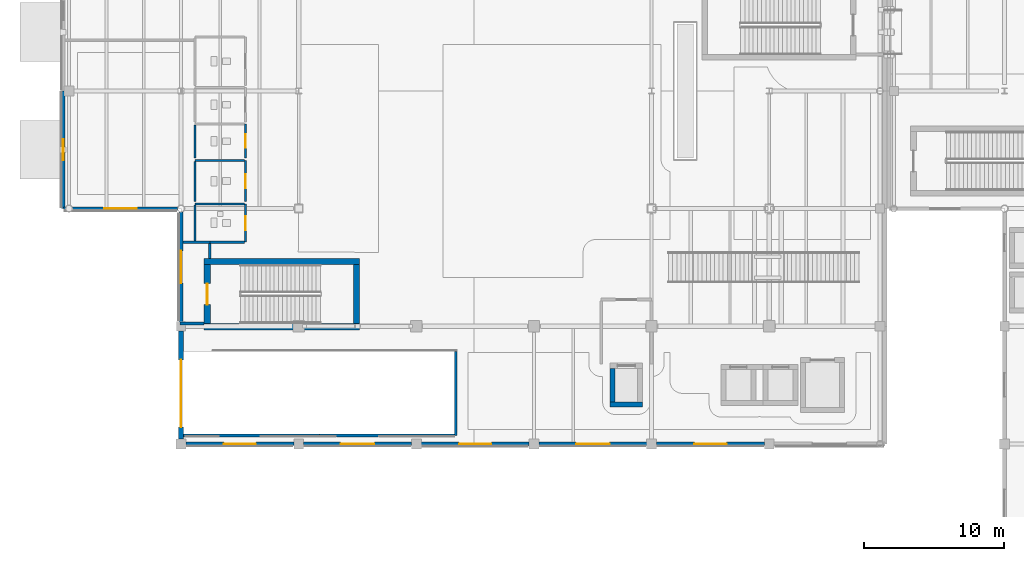
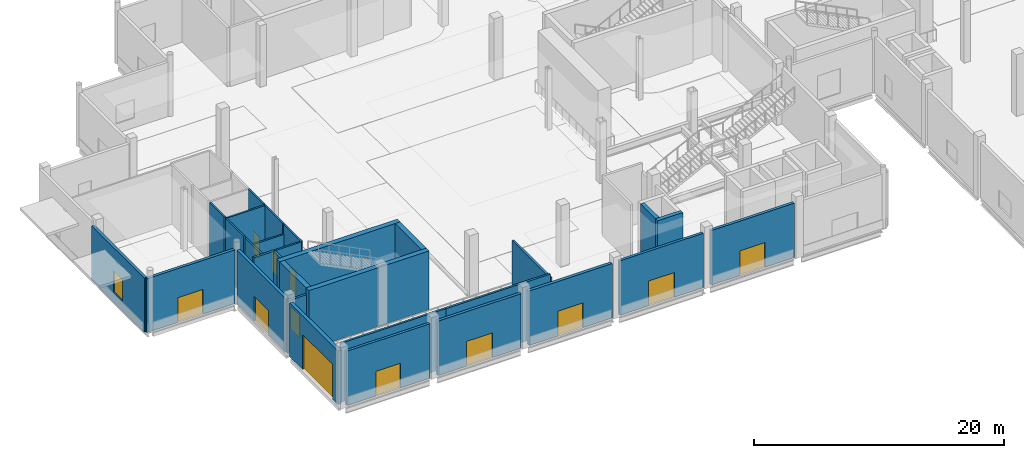
# One storey, part 43 of 85: 30 walls, 12 doors, 1 window, 13 openings.
"""IFC4 building model written with IfcOpenShell, lengths in metres."""

from ifc_helpers import new_model, si_unit, direction, frame, frame_2d, origin, place, context, subcontext, project, spatial, rectangle, extrude, material, layer, layer_set, type_object, element, fill, save


model = new_model("IFC4")

# Units and contexts
model_context = context("Model", 3, precision=1e-05, world=origin(), true_north=direction((0.0, 1.0)))
body_context = subcontext(model_context, "Body", "Model", "MODEL_VIEW")
ifc_project = project(units=[si_unit("LENGTHUNIT", "METRE"), si_unit("AREAUNIT", "SQUARE_METRE"), si_unit("VOLUMEUNIT", "CUBIC_METRE"), si_unit("PLANEANGLEUNIT", "RADIAN"), si_unit("MASSUNIT", "GRAM", prefix="KILO"), si_unit("THERMODYNAMICTEMPERATUREUNIT", "KELVIN")], contexts=[model_context])

# Site, building, storey
site_placement = place(None, origin())
site = spatial("IfcSite", under=ifc_project, at=site_placement, CompositionType="ELEMENT")
building_placement = place(site_placement, origin())
building = spatial("IfcBuilding", under=site, at=building_placement, Name="Lustrewick Department Store", CompositionType="ELEMENT")
storey_placement = place(building_placement, origin())
storey = spatial("IfcBuildingStorey", under=building, at=storey_placement, Name="L01", CompositionType="ELEMENT", Elevation=0.0)

# Wall, opening, door
ifc_material_1 = material(Name="Precast concrete C40", Category="concrete")
ifc_layer_1 = layer(ifc_material_1, 0.239990234375, Name="Precast concrete C40")
ifc_layer_set_1 = layer_set([ifc_layer_1], Name="Precast concrete C40")
wall_type_1 = type_object("IfcWallType", Name="EW01", PredefinedType="STANDARD", material=ifc_layer_set_1)
wall_1_placement = place(storey_placement, frame((8.7451171875, 42.0, 0.0), z_axis=(0.0, 0.0, 1.0), x_axis=(1.0, 0.0, 0.0)))
wall_1 = element("IfcWall", 1, at=wall_1_placement, inside=storey, type_object=wall_type_1, Name="L01 V1 Exterior Wall EW01", PredefinedType="STANDARD", context=body_context, shape_type="SweptSolid", body=[
    extrude(rectangle(XDim=7.7099609375, YDim=0.239990234375, at=frame_2d((3.85498046875, 0.0))), origin(), (0.0, 0.0, 1.0), 5.297119140625),
])
opening_1_placement = place(wall_1_placement, frame((2.705078125, 0.0, 0.0)))
opening_1 = element("IfcOpeningElement", 2, at=opening_1_placement, cuts=wall_1, Name="Opening D-EX09", PredefinedType="OPENING", context=body_context, shape_type="SweptSolid", body=[
    extrude(rectangle(XDim=2.300048828125, YDim=2.39990234375, at=frame_2d((1.14990234375, 1.199951171875))), frame((0.0, 0.1298828125, 0.0), z_axis=(0.0, -1.0, 0.0), x_axis=(1.0, 0.0, 0.0)), (0.0, 0.0, 1.0), 0.260009765625),
])
ifc_material_2 = material(Name="Thermally broken glazed aluminium entrance door", Category="aluminium")
door_type_1 = type_object("IfcDoorType", Name="DT-01", OperationType="NOTDEFINED", PredefinedType="DOOR", material=ifc_material_2)
door_1_placement = place(opening_1_placement, frame((2.300048828125, 0.0, 0.0), z_axis=(0.0, 0.0, 1.0), x_axis=(-1.0, 0.0, 0.0)))
door_1 = element("IfcDoor", 3, at=door_1_placement, inside=storey, type_object=door_type_1, Name="L01 Pedestrian Final Exit Door D-EX09", OperationType="DOUBLE_DOOR_SINGLE_SWING", OverallHeight=2.39990234375, OverallWidth=2.300048828125, PredefinedType="DOOR", context=body_context, shape_type="SweptSolid", body=[
    extrude(rectangle(XDim=2.300048828125, YDim=2.39990234375, at=frame_2d((1.14990234375, 1.199951171875))), frame((0.0, 0.02490234375, 0.0), z_axis=(0.0, -1.0, 0.0), x_axis=(1.0, 0.0, 0.0)), (0.0, 0.0, 1.0), 0.050048828125),
])
fill(opening_1, door_1)

wall_2_placement = place(storey_placement, frame((33.945068359375, 42.0, 0.0), z_axis=(0.0, 0.0, 1.0), x_axis=(1.0, 0.0, 0.0)))
wall_2 = element("IfcWall", 4, at=wall_2_placement, inside=storey, type_object=wall_type_1, Name="L01 V1 Exterior Wall EW01", PredefinedType="STANDARD", context=body_context, shape_type="SweptSolid", body=[
    extrude(rectangle(XDim=7.7099609375, YDim=0.239990234375, at=frame_2d((3.85498046875, 0.0))), origin(), (0.0, 0.0, 1.0), 5.297119140625),
])
opening_2_placement = place(wall_2_placement, frame((2.655029296875, 0.0, 0.0)))
opening_2 = element("IfcOpeningElement", 5, at=opening_2_placement, cuts=wall_2, Name="Opening D-EX18", PredefinedType="OPENING", context=body_context, shape_type="SweptSolid", body=[
    extrude(rectangle(XDim=2.39990234375, YDim=2.39990234375, at=frame_2d((1.199951171875, 1.199951171875))), frame((0.0, 0.1298828125, 0.0), z_axis=(0.0, -1.0, 0.0), x_axis=(1.0, 0.0, 0.0)), (0.0, 0.0, 1.0), 0.260009765625),
])
door_type_2 = type_object("IfcDoorType", Name="DT-02", OperationType="NOTDEFINED", PredefinedType="DOOR", material=ifc_material_2)
door_2_placement = place(opening_2_placement, frame((2.39990234375, 0.0, 0.0), z_axis=(0.0, 0.0, 1.0), x_axis=(-1.0, 0.0, 0.0)))
door_2 = element("IfcDoor", 6, at=door_2_placement, inside=storey, type_object=door_type_2, Name="L01 Pedestrian Final Exit Door D-EX18", OperationType="DOUBLE_DOOR_SINGLE_SWING", OverallHeight=2.39990234375, OverallWidth=2.39990234375, PredefinedType="DOOR", context=body_context, shape_type="SweptSolid", body=[
    extrude(rectangle(XDim=2.39990234375, YDim=2.39990234375, at=frame_2d((1.199951171875, 1.199951171875))), frame((0.0, 0.02490234375, 0.0), z_axis=(0.0, -1.0, 0.0), x_axis=(1.0, 0.0, 0.0)), (0.0, 0.0, 1.0), 0.050048828125),
])
fill(opening_2, door_2)

ifc_layer_2 = layer(ifc_material_1, 0.260009765625, Name="Precast concrete C40")
ifc_layer_set_2 = layer_set([ifc_layer_2], Name="Precast concrete C40")
wall_type_2 = type_object("IfcWallType", Name="EW02", PredefinedType="STANDARD", material=ifc_layer_set_2)
wall_3_placement = place(storey_placement, frame((0.0, 58.800048828125, 0.0), z_axis=(0.0, 0.0, 1.0), x_axis=(1.0, 0.0, 0.0)))
wall_3 = element("IfcWall", 7, at=wall_3_placement, inside=storey, type_object=wall_type_2, Name="L01 V1 Exterior Wall EW02", PredefinedType="STANDARD", context=body_context, shape_type="SweptSolid", body=[
    extrude(rectangle(XDim=8.15087890625, YDim=0.260009765625, at=frame_2d((4.075439453125, 0.0))), origin(), (0.0, 0.0, 1.0), 5.23095703125),
])
opening_3_placement = place(wall_3_placement, frame((2.925537109375, 0.0, 0.0)))
opening_3 = element("IfcOpeningElement", 8, at=opening_3_placement, cuts=wall_3, Name="Opening D-EX01", PredefinedType="OPENING", context=body_context, shape_type="SweptSolid", body=[
    extrude(rectangle(XDim=2.300048828125, YDim=2.39990234375, at=frame_2d((1.14990234375, 1.199951171875))), frame((0.0, 0.14013671875, 0.0), z_axis=(0.0, -1.0, 0.0), x_axis=(1.0, 0.0, 0.0)), (0.0, 0.0, 1.0), 0.280029296875),
])
door_3_placement = place(opening_3_placement, frame((2.300048828125, 0.0, 0.0), z_axis=(0.0, 0.0, 1.0), x_axis=(-1.0, 0.0, 0.0)))
door_3 = element("IfcDoor", 9, at=door_3_placement, inside=storey, type_object=door_type_1, Name="L01 Pedestrian Final Exit Door D-EX01", OperationType="DOUBLE_DOOR_SINGLE_SWING", OverallHeight=2.39990234375, OverallWidth=2.300048828125, PredefinedType="DOOR", context=body_context, shape_type="SweptSolid", body=[
    extrude(rectangle(XDim=2.300048828125, YDim=2.39990234375, at=frame_2d((1.14990234375, 1.199951171875))), frame((0.0, 0.02490234375, 0.0), z_axis=(0.0, -1.0, 0.0), x_axis=(1.0, 0.0, 0.0)), (0.0, 0.0, 1.0), 0.050048828125),
])
fill(opening_3, door_3)

wall_4_placement = place(storey_placement, frame((17.14501953125, 42.0, 0.0), z_axis=(0.0, 0.0, 1.0), x_axis=(1.0, 0.0, 0.0)))
wall_4 = element("IfcWall", 10, at=wall_4_placement, inside=storey, type_object=wall_type_2, Name="L01 V1 Exterior Wall EW02", PredefinedType="STANDARD", context=body_context, shape_type="SweptSolid", body=[
    extrude(rectangle(XDim=7.7099609375, YDim=0.260009765625, at=frame_2d((3.85498046875, 0.0))), origin(), (0.0, 0.0, 1.0), 5.297119140625),
])
opening_4_placement = place(wall_4_placement, frame((2.655029296875, 0.0, 0.0)))
opening_4 = element("IfcOpeningElement", 11, at=opening_4_placement, cuts=wall_4, Name="Opening D-EX12", PredefinedType="OPENING", context=body_context, shape_type="SweptSolid", body=[
    extrude(rectangle(XDim=2.39990234375, YDim=2.39990234375, at=frame_2d((1.199951171875, 1.199951171875))), frame((0.0, 0.14013671875, 0.0), z_axis=(0.0, -1.0, 0.0), x_axis=(1.0, 0.0, 0.0)), (0.0, 0.0, 1.0), 0.280029296875),
])
door_4_placement = place(opening_4_placement, frame((2.39990234375, 0.0, 0.0), z_axis=(0.0, 0.0, 1.0), x_axis=(-1.0, 0.0, 0.0)))
door_4 = element("IfcDoor", 12, at=door_4_placement, inside=storey, type_object=door_type_2, Name="L01 Pedestrian Final Exit Door D-EX12", OperationType="DOUBLE_DOOR_SINGLE_SWING", OverallHeight=2.39990234375, OverallWidth=2.39990234375, PredefinedType="DOOR", context=body_context, shape_type="SweptSolid", body=[
    extrude(rectangle(XDim=2.39990234375, YDim=2.39990234375, at=frame_2d((1.199951171875, 1.199951171875))), frame((0.0, 0.02490234375, 0.0), z_axis=(0.0, -1.0, 0.0), x_axis=(1.0, 0.0, 0.0)), (0.0, 0.0, 1.0), 0.050048828125),
])
fill(opening_4, door_4)

wall_5_placement = place(storey_placement, frame((42.344970703125, 42.0, 0.0), z_axis=(0.0, 0.0, 1.0), x_axis=(1.0, 0.0, 0.0)))
wall_5 = element("IfcWall", 13, at=wall_5_placement, inside=storey, type_object=wall_type_2, Name="L01 V1 Exterior Wall EW02", PredefinedType="STANDARD", context=body_context, shape_type="SweptSolid", body=[
    extrude(rectangle(XDim=7.7099609375, YDim=0.260009765625, at=frame_2d((3.85498046875, 0.0))), origin(), (0.0, 0.0, 1.0), 5.297119140625),
])
opening_5_placement = place(wall_5_placement, frame((2.705078125, 0.0, 0.0)))
opening_5 = element("IfcOpeningElement", 14, at=opening_5_placement, cuts=wall_5, Name="Opening D-EX21", PredefinedType="OPENING", context=body_context, shape_type="SweptSolid", body=[
    extrude(rectangle(XDim=2.300048828125, YDim=2.39990234375, at=frame_2d((1.14990234375, 1.199951171875))), frame((0.0, 0.14013671875, 0.0), z_axis=(0.0, -1.0, 0.0), x_axis=(1.0, 0.0, 0.0)), (0.0, 0.0, 1.0), 0.280029296875),
])
door_5_placement = place(opening_5_placement, frame((2.300048828125, 0.0, 0.0), z_axis=(0.0, 0.0, 1.0), x_axis=(-1.0, 0.0, 0.0)))
door_5 = element("IfcDoor", 15, at=door_5_placement, inside=storey, type_object=door_type_1, Name="L01 Pedestrian Final Exit Door D-EX21", OperationType="DOUBLE_DOOR_SINGLE_SWING", OverallHeight=2.39990234375, OverallWidth=2.300048828125, PredefinedType="DOOR", context=body_context, shape_type="SweptSolid", body=[
    extrude(rectangle(XDim=2.300048828125, YDim=2.39990234375, at=frame_2d((1.14990234375, 1.199951171875))), frame((0.0, 0.02490234375, 0.0), z_axis=(0.0, -1.0, 0.0), x_axis=(1.0, 0.0, 0.0)), (0.0, 0.0, 1.0), 0.050048828125),
])
fill(opening_5, door_5)

# Wall, opening, window
wall_6_placement = place(storey_placement, frame((0.0, 67.199951171875, 0.0), z_axis=(0.0, 0.0, 1.0), x_axis=(0.0, -1.0, 0.0)))
wall_6 = element("IfcWall", 16, at=wall_6_placement, inside=storey, type_object=wall_type_2, Name="L01 V1 Exterior Wall EW02", PredefinedType="STANDARD", context=body_context, shape_type="SweptSolid", body=[
    extrude(rectangle(XDim=8.39990234375, YDim=0.260009765625, at=frame_2d((4.199951171875, 0.0))), origin(), (0.0, 0.0, 1.0), 5.297119140625),
])
opening_6_placement = place(wall_6_placement, frame((3.449951171875, 0.0, 0.949951171875)))
opening_6 = element("IfcOpeningElement", 17, at=opening_6_placement, cuts=wall_6, Name="Opening WN08", PredefinedType="OPENING", context=body_context, shape_type="SweptSolid", body=[
    extrude(rectangle(XDim=1.5, YDim=2.10009765625, at=frame_2d((0.75, 1.050048828125))), frame((0.0, 0.14013671875, 0.0), z_axis=(0.0, -1.0, 0.0), x_axis=(1.0, 0.0, 0.0)), (0.0, 0.0, 1.0), 0.280029296875),
])
ifc_material_3 = material(Name="Thermally broken Low-E triple-glazed window", Category="glass")
window_type = type_object("IfcWindowType", Name="WN08", PartitioningType="DOUBLE_PANEL_VERTICAL", PredefinedType="WINDOW", material=ifc_material_3)
window_placement = place(opening_6_placement, origin())
window = element("IfcWindow", 18, at=window_placement, inside=storey, type_object=window_type, Name="L01 Art Nouveau Window WN08", OverallHeight=2.10009765625, OverallWidth=1.5, PartitioningType="SINGLE_PANEL", PredefinedType="WINDOW", context=body_context, shape_type="SweptSolid", body=[
    extrude(rectangle(XDim=1.5, YDim=2.10009765625, at=frame_2d((0.75, 1.050048828125))), frame((0.0, 0.030029296875, 0.0), z_axis=(0.0, -1.0, 0.0), x_axis=(1.0, 0.0, 0.0)), (0.0, 0.0, 1.0), 0.06005859375),
])
fill(opening_6, window)

# Wall, opening, door
ifc_layer_3 = layer(ifc_material_1, 0.280029296875, Name="Precast concrete C40")
ifc_layer_set_3 = layer_set([ifc_layer_3], Name="Precast concrete C40")
wall_type_3 = type_object("IfcWallType", Name="EW03", PredefinedType="STANDARD", material=ifc_layer_set_3)
wall_7_placement = place(storey_placement, frame((8.39990234375, 58.551025390625, 0.0), z_axis=(0.0, 0.0, 1.0), x_axis=(0.0, -1.0, 0.0)))
wall_7 = element("IfcWall", 19, at=wall_7_placement, inside=storey, type_object=wall_type_3, Name="L01 V1 Exterior Wall EW03", PredefinedType="STANDARD", context=body_context, shape_type="SweptSolid", body=[
    extrude(rectangle(XDim=7.8310546875, YDim=0.280029296875, at=frame_2d((3.91552734375, 0.0))), origin(), (0.0, 0.0, 1.0), 5.23095703125),
])
opening_7_placement = place(wall_7_placement, frame((2.765380859375, 0.0, 0.0)))
opening_7 = element("IfcOpeningElement", 20, at=opening_7_placement, cuts=wall_7, Name="Opening D-EX05", PredefinedType="OPENING", context=body_context, shape_type="SweptSolid", body=[
    extrude(rectangle(XDim=2.300048828125, YDim=2.39990234375, at=frame_2d((1.14990234375, 1.199951171875))), frame((0.0, 0.14990234375, 0.0), z_axis=(0.0, -1.0, 0.0), x_axis=(1.0, 0.0, 0.0)), (0.0, 0.0, 1.0), 0.300048828125),
])
door_6_placement = place(opening_7_placement, frame((2.300048828125, 0.0, 0.0), z_axis=(0.0, 0.0, 1.0), x_axis=(-1.0, 0.0, 0.0)))
door_6 = element("IfcDoor", 21, at=door_6_placement, inside=storey, type_object=door_type_1, Name="L01 Pedestrian Final Exit Door D-EX05", OperationType="DOUBLE_DOOR_SINGLE_SWING", OverallHeight=2.39990234375, OverallWidth=2.300048828125, PredefinedType="DOOR", context=body_context, shape_type="SweptSolid", body=[
    extrude(rectangle(XDim=2.300048828125, YDim=2.39990234375, at=frame_2d((1.14990234375, 1.199951171875))), frame((0.0, 0.02490234375, 0.0), z_axis=(0.0, -1.0, 0.0), x_axis=(1.0, 0.0, 0.0)), (0.0, 0.0, 1.0), 0.050048828125),
])
fill(opening_7, door_6)

wall_8_placement = place(storey_placement, frame((25.544921875, 42.0, 0.0), z_axis=(0.0, 0.0, 1.0), x_axis=(1.0, 0.0, 0.0)))
wall_8 = element("IfcWall", 22, at=wall_8_placement, inside=storey, type_object=wall_type_3, Name="L01 V1 Exterior Wall EW03", PredefinedType="STANDARD", context=body_context, shape_type="SweptSolid", body=[
    extrude(rectangle(XDim=7.7099609375, YDim=0.280029296875, at=frame_2d((3.85498046875, 0.0))), origin(), (0.0, 0.0, 1.0), 5.297119140625),
])
opening_8_placement = place(wall_8_placement, frame((2.705078125, 0.0, 0.0)))
opening_8 = element("IfcOpeningElement", 23, at=opening_8_placement, cuts=wall_8, Name="Opening D-EX15", PredefinedType="OPENING", context=body_context, shape_type="SweptSolid", body=[
    extrude(rectangle(XDim=2.300048828125, YDim=2.39990234375, at=frame_2d((1.14990234375, 1.199951171875))), frame((0.0, 0.14990234375, 0.0), z_axis=(0.0, -1.0, 0.0), x_axis=(1.0, 0.0, 0.0)), (0.0, 0.0, 1.0), 0.300048828125),
])
door_7_placement = place(opening_8_placement, frame((2.300048828125, 0.0, 0.0), z_axis=(0.0, 0.0, 1.0), x_axis=(-1.0, 0.0, 0.0)))
door_7 = element("IfcDoor", 24, at=door_7_placement, inside=storey, type_object=door_type_1, Name="L01 Pedestrian Final Exit Door D-EX15", OperationType="DOUBLE_DOOR_SINGLE_SWING", OverallHeight=2.39990234375, OverallWidth=2.300048828125, PredefinedType="DOOR", context=body_context, shape_type="SweptSolid", body=[
    extrude(rectangle(XDim=2.300048828125, YDim=2.39990234375, at=frame_2d((1.14990234375, 1.199951171875))), frame((0.0, 0.02490234375, 0.0), z_axis=(0.0, -1.0, 0.0), x_axis=(1.0, 0.0, 0.0)), (0.0, 0.0, 1.0), 0.050048828125),
])
fill(opening_8, door_7)

ifc_layer_4 = layer(ifc_material_1, 0.330078125, Name="Precast concrete C40")
ifc_layer_set_4 = layer_set([ifc_layer_4], Name="Precast concrete C40")
wall_type_4 = type_object("IfcWallType", Name="EW05", PredefinedType="STANDARD", material=ifc_layer_set_4)
wall_9_placement = place(storey_placement, frame((8.39990234375, 50.080078125, 0.0), z_axis=(0.0, 0.0, 1.0), x_axis=(0.0, -1.0, 0.0)))
wall_9 = element("IfcWall", 25, at=wall_9_placement, inside=storey, type_object=wall_type_4, Name="L01 V1 Exterior Wall EW05", PredefinedType="STANDARD", context=body_context, shape_type="SweptSolid", body=[
    extrude(rectangle(XDim=7.735107421875, YDim=0.330078125, at=frame_2d((3.86767578125, 0.0))), origin(), (0.0, 0.0, 1.0), 5.23095703125),
])
opening_9_placement = place(wall_9_placement, frame((2.080078125, 0.0, 0.0)))
opening_9 = element("IfcOpeningElement", 26, at=opening_9_placement, cuts=wall_9, Name="Opening D-VG01", PredefinedType="OPENING", context=body_context, shape_type="SweptSolid", body=[
    extrude(rectangle(XDim=4.800048828125, YDim=3.39990234375, at=frame_2d((2.39990234375, 1.699951171875))), frame((0.0, 0.175048828125, 0.0), z_axis=(0.0, -1.0, 0.0), x_axis=(1.0, 0.0, 0.0)), (0.0, 0.0, 1.0), 0.35009765625),
])
ifc_material_4 = material(Name="Perforated aluminium motorised vehicle roller gate", Category="aluminium")
door_type_3 = type_object("IfcDoorType", Name="DT-18", OperationType="NOTDEFINED", PredefinedType="GATE", material=ifc_material_4)
door_8_placement = place(opening_9_placement, frame((4.800048828125, 0.0, 0.0), z_axis=(0.0, 0.0, 1.0), x_axis=(-1.0, 0.0, 0.0)))
door_8 = element("IfcDoor", 27, at=door_8_placement, inside=storey, type_object=door_type_3, Name="L01 Car Park Ramp External Roller Gate D-VG01", OperationType="DOUBLE_DOOR_SLIDING", OverallHeight=3.39990234375, OverallWidth=4.800048828125, PredefinedType="GATE", context=body_context, shape_type="SweptSolid", body=[
    extrude(rectangle(XDim=4.800048828125, YDim=3.39990234375, at=frame_2d((2.39990234375, 1.699951171875))), frame((0.0, 0.02490234375, 0.0), z_axis=(0.0, -1.0, 0.0), x_axis=(1.0, 0.0, 0.0)), (0.0, 0.0, 1.0), 0.050048828125),
])
fill(opening_9, door_8)

# Walls
ifc_material_5 = material(Name="Autoclaved aerated concrete blockwork and fire board", Category="masonry")
ifc_layer_5 = layer(ifc_material_5, 0.205078125, Name="Autoclaved aerated concrete blockwork and fire board")
ifc_layer_set_5 = layer_set([ifc_layer_5], Name="Autoclaved aerated concrete blockwork and fire board")
wall_type_5 = type_object("IfcWallType", Name="PW02", PredefinedType="PARTITIONING", material=ifc_layer_set_5)
wall_10_placement = place(storey_placement, frame((10.449951171875, 56.39990234375, 0.0), z_axis=(0.0, 0.0, 1.0), x_axis=(-1.0, 0.0, 0.0)))
element("IfcWall", 28, at=wall_10_placement, inside=storey, type_object=wall_type_5, Name="L01 Protected Exit Passageway ST01 PW02", PredefinedType="PARTITIONING", context=body_context, shape_type="SweptSolid", body=[
    extrude(rectangle(XDim=1.9150390625, YDim=0.205078125, at=frame_2d((0.95751953125, 0.0))), origin(), (0.0, 0.0, 1.0), 5.7451171875),
])
wall_11_placement = place(storey_placement, frame((8.320068359375, 50.60009765625, 0.0), z_axis=(0.0, 0.0, 1.0), x_axis=(1.0, 0.0, 0.0)))
element("IfcWall", 29, at=wall_11_placement, inside=storey, type_object=wall_type_5, Name="L01 Protected Exit Passageway ST01 PW02", PredefinedType="PARTITIONING", context=body_context, shape_type="SweptSolid", body=[
    extrude(rectangle(XDim=1.72998046875, YDim=0.205078125, at=frame_2d((0.864990234375, 0.0))), origin(), (0.0, 0.0, 1.0), 5.14306640625),
])
wall_12_placement = place(storey_placement, frame((10.449951171875, 55.2451171875, 0.0), z_axis=(0.0, 0.0, 1.0), x_axis=(0.0, 1.0, 0.0)))
element("IfcWall", 30, at=wall_12_placement, inside=storey, type_object=wall_type_5, Name="L01 Protected Exit Passageway ST01 PW02", PredefinedType="PARTITIONING", context=body_context, shape_type="SweptSolid", body=[
    extrude(rectangle(XDim=1.057373046875, YDim=0.205078125, at=frame_2d((0.52880859375, 0.0))), origin(), (0.0, 0.0, 1.0), 5.7451171875),
])
ifc_material_6 = material(Name="Double-stud gypsum fire board with mineral wool", Category="gypsum")
ifc_layer_6 = layer(ifc_material_6, 0.18505859375, Name="Double-stud gypsum fire board with mineral wool")
ifc_layer_set_6 = layer_set([ifc_layer_6], Name="Double-stud gypsum fire board with mineral wool")
wall_type_6 = type_object("IfcWallType", Name="PW03", PredefinedType="PARTITIONING", material=ifc_layer_set_6)
wall_13_placement = place(storey_placement, frame((28.0, 48.60009765625, 0.0), z_axis=(0.0, 0.0, 1.0), x_axis=(0.0, -1.0, 0.0)))
element("IfcWall", 31, at=wall_13_placement, inside=storey, type_object=wall_type_6, Name="L01 V1 Retail Merchandise Gallery 3 PW03", PredefinedType="PARTITIONING", context=body_context, shape_type="SweptSolid", body=[
    extrude(rectangle(XDim=6.0, YDim=0.18505859375, at=frame_2d((3.0, 0.0))), origin(), (0.0, 0.0, 1.0), 5.3369140625),
])
wall_14_placement = place(storey_placement, frame((27.91259765625, 42.60009765625, 0.0), z_axis=(0.0, 0.0, 1.0), x_axis=(-1.0, 0.0, 0.0)))
element("IfcWall", 32, at=wall_14_placement, inside=storey, type_object=wall_type_6, Name="L01 V1 Retail Merchandise Gallery 3 PW03", PredefinedType="PARTITIONING", context=body_context, shape_type="SweptSolid", body=[
    extrude(rectangle(XDim=9.642578125, YDim=0.18505859375, at=frame_2d((4.8212890625, 0.0))), origin(), (0.0, 0.0, 1.0), 5.7451171875),
])
wall_15_placement = place(storey_placement, frame((18.27001953125, 42.60009765625, 0.0), z_axis=(0.0, 0.0, 1.0), x_axis=(-1.0, 0.0, 0.0)))
element("IfcWall", 33, at=wall_15_placement, inside=storey, type_object=wall_type_6, Name="L01 V1 Retail Merchandise Gallery 3 PW03", PredefinedType="PARTITIONING", context=body_context, shape_type="SweptSolid", body=[
    extrude(rectangle(XDim=9.7099609375, YDim=0.18505859375, at=frame_2d((4.85498046875, 0.0))), origin(), (0.0, 0.0, 1.0), 5.7451171875),
])

# Wall, opening, door
ifc_material_7 = material(Name="Moisture-resistant cement board sanitary partition", Category="gypsum")
ifc_layer_7 = layer(ifc_material_7, 0.14990234375, Name="Moisture-resistant cement board sanitary partition")
ifc_layer_set_7 = layer_set([ifc_layer_7], Name="Moisture-resistant cement board sanitary partition")
wall_type_7 = type_object("IfcWallType", Name="PW05", PredefinedType="PARTITIONING", material=ifc_layer_set_7)
wall_16_placement = place(storey_placement, frame((13.0, 56.39990234375, 0.0), z_axis=(0.0, 0.0, 1.0), x_axis=(0.0, 1.0, 0.0)))
wall_16 = element("IfcWall", 34, at=wall_16_placement, inside=storey, type_object=wall_type_7, Name="L01 Male Public WC PW05", PredefinedType="PARTITIONING", context=body_context, shape_type="SweptSolid", body=[
    extrude(rectangle(XDim=2.739990234375, YDim=0.14990234375, at=frame_2d((1.3701171875, 0.0))), origin(), (0.0, 0.0, 1.0), 5.7451171875),
])
opening_10_placement = place(wall_16_placement, frame((0.8701171875, 0.0, 0.0)))
opening_10 = element("IfcOpeningElement", 35, at=opening_10_placement, cuts=wall_16, Name="Opening D-L01-044", PredefinedType="OPENING", context=body_context, shape_type="SweptSolid", body=[
    extrude(rectangle(XDim=1.0, YDim=2.10009765625, at=frame_2d((0.5, 1.050048828125))), frame((0.0, 0.0849609375, 0.0), z_axis=(0.0, -1.0, 0.0), x_axis=(1.0, 0.0, 0.0)), (0.0, 0.0, 1.0), 0.169921875),
])
ifc_material_8 = material(Name="Moisture-resistant laminate sanitary door", Category="steel")
door_type_4 = type_object("IfcDoorType", Name="DT-11", OperationType="NOTDEFINED", PredefinedType="DOOR", material=ifc_material_8)
door_9_placement = place(opening_10_placement, origin())
door_9 = element("IfcDoor", 36, at=door_9_placement, inside=storey, type_object=door_type_4, Name="L01 Male Public WC Door D-L01-044", OperationType="SINGLE_SWING_LEFT", OverallHeight=2.10009765625, OverallWidth=1.0, PredefinedType="DOOR", context=body_context, shape_type="SweptSolid", body=[
    extrude(rectangle(XDim=1.0, YDim=2.10009765625, at=frame_2d((0.5, 1.050048828125))), frame((0.0, 0.02490234375, 0.0), z_axis=(0.0, -1.0, 0.0), x_axis=(1.0, 0.0, 0.0)), (0.0, 0.0, 1.0), 0.050048828125),
])
fill(opening_10, door_9)

# Walls
wall_17_placement = place(storey_placement, frame((10.4599609375, 56.39990234375, 0.0), z_axis=(0.0, 0.0, 1.0), x_axis=(1.0, 0.0, 0.0)))
element("IfcWall", 37, at=wall_17_placement, inside=storey, type_object=wall_type_7, Name="L01 Male Public WC PW05", PredefinedType="PARTITIONING", context=body_context, shape_type="SweptSolid", body=[
    extrude(rectangle(XDim=2.469970703125, YDim=0.14990234375, at=frame_2d((1.23486328125, 0.0))), origin(), (0.0, 0.0, 1.0), 5.7451171875),
])
wall_18_placement = place(storey_placement, frame((12.929931640625, 59.139892578125, 0.0), z_axis=(0.0, 0.0, 1.0), x_axis=(-1.0, 0.0, 0.0)))
element("IfcWall", 38, at=wall_18_placement, inside=storey, type_object=wall_type_7, Name="L01 Male Public WC PW05", PredefinedType="PARTITIONING", context=body_context, shape_type="SweptSolid", body=[
    extrude(rectangle(XDim=3.530029296875, YDim=0.14990234375, at=frame_2d((1.76513671875, 0.0))), origin(), (0.0, 0.0, 1.0), 4.824951171875),
])
wall_19_placement = place(storey_placement, frame((9.39990234375, 59.070068359375, 0.0), z_axis=(0.0, 0.0, 1.0), x_axis=(0.0, -1.0, 0.0)))
element("IfcWall", 39, at=wall_19_placement, inside=storey, type_object=wall_type_7, Name="L01 Male Public WC PW05", PredefinedType="PARTITIONING", context=body_context, shape_type="SweptSolid", body=[
    extrude(rectangle(XDim=2.572509765625, YDim=0.14990234375, at=frame_2d((1.2861328125, 0.0))), origin(), (0.0, 0.0, 1.0), 5.7451171875),
])

# Wall, opening, door
wall_20_placement = place(storey_placement, frame((13.0, 59.300048828125, 0.0), z_axis=(0.0, 0.0, 1.0), x_axis=(0.0, 1.0, 0.0)))
wall_20 = element("IfcWall", 40, at=wall_20_placement, inside=storey, type_object=wall_type_7, Name="L01 Female Public WC PW05", PredefinedType="PARTITIONING", context=body_context, shape_type="SweptSolid", body=[
    extrude(rectangle(XDim=2.93994140625, YDim=0.14990234375, at=frame_2d((1.469970703125, 0.0))), origin(), (0.0, 0.0, 1.0), 5.7451171875),
])
opening_11_placement = place(wall_20_placement, frame((0.969970703125, 0.0, 0.0)))
opening_11 = element("IfcOpeningElement", 41, at=opening_11_placement, cuts=wall_20, Name="Opening D-L01-045", PredefinedType="OPENING", context=body_context, shape_type="SweptSolid", body=[
    extrude(rectangle(XDim=1.0, YDim=2.10009765625, at=frame_2d((0.5, 1.050048828125))), frame((0.0, 0.0849609375, 0.0), z_axis=(0.0, -1.0, 0.0), x_axis=(1.0, 0.0, 0.0)), (0.0, 0.0, 1.0), 0.169921875),
])
door_10_placement = place(opening_11_placement, origin())
door_10 = element("IfcDoor", 42, at=door_10_placement, inside=storey, type_object=door_type_4, Name="L01 Female Public WC Door D-L01-045", OperationType="SINGLE_SWING_RIGHT", OverallHeight=2.10009765625, OverallWidth=1.0, PredefinedType="DOOR", context=body_context, shape_type="SweptSolid", body=[
    extrude(rectangle(XDim=1.0, YDim=2.10009765625, at=frame_2d((0.5, 1.050048828125))), frame((0.0, 0.02490234375, 0.0), z_axis=(0.0, -1.0, 0.0), x_axis=(1.0, 0.0, 0.0)), (0.0, 0.0, 1.0), 0.050048828125),
])
fill(opening_11, door_10)

# Walls
wall_21_placement = place(storey_placement, frame((12.929931640625, 62.239990234375, 0.0), z_axis=(0.0, 0.0, 1.0), x_axis=(-1.0, 0.0, 0.0)))
element("IfcWall", 43, at=wall_21_placement, inside=storey, type_object=wall_type_7, Name="L01 Female Public WC PW05", PredefinedType="PARTITIONING", context=body_context, shape_type="SweptSolid", body=[
    extrude(rectangle(XDim=3.530029296875, YDim=0.14990234375, at=frame_2d((1.76513671875, 0.0))), origin(), (0.0, 0.0, 1.0), 5.7451171875),
])
wall_22_placement = place(storey_placement, frame((9.39990234375, 62.169921875, 0.0), z_axis=(0.0, 0.0, 1.0), x_axis=(0.0, -1.0, 0.0)))
element("IfcWall", 44, at=wall_22_placement, inside=storey, type_object=wall_type_7, Name="L01 Female Public WC PW05", PredefinedType="PARTITIONING", context=body_context, shape_type="SweptSolid", body=[
    extrude(rectangle(XDim=2.869873046875, YDim=0.14990234375, at=frame_2d((1.43505859375, 0.0))), origin(), (0.0, 0.0, 1.0), 5.7451171875),
])

# Wall, opening, door
wall_23_placement = place(storey_placement, frame((13.0, 62.39990234375, 0.0), z_axis=(0.0, 0.0, 1.0), x_axis=(0.0, 1.0, 0.0)))
wall_23 = element("IfcWall", 45, at=wall_23_placement, inside=storey, type_object=wall_type_7, Name="L01 Accessible WC PW05", PredefinedType="PARTITIONING", context=body_context, shape_type="SweptSolid", body=[
    extrude(rectangle(XDim=2.440185546875, YDim=0.14990234375, at=frame_2d((1.22021484375, 0.0))), origin(), (0.0, 0.0, 1.0), 5.7451171875),
])
opening_12_placement = place(wall_23_placement, frame((0.72998046875, 0.0, 0.0)))
opening_12 = element("IfcOpeningElement", 46, at=opening_12_placement, cuts=wall_23, Name="Opening D-L01-046", PredefinedType="OPENING", context=body_context, shape_type="SweptSolid", body=[
    extrude(rectangle(XDim=0.97998046875, YDim=2.10009765625, at=frame_2d((0.489990234375, 1.050048828125))), frame((0.0, 0.0849609375, 0.0), z_axis=(0.0, -1.0, 0.0), x_axis=(1.0, 0.0, 0.0)), (0.0, 0.0, 1.0), 0.169921875),
])
ifc_material_9 = material(Name="Barrier-free accessible sanitary door", Category="steel")
door_type_5 = type_object("IfcDoorType", Name="DT-12", OperationType="NOTDEFINED", PredefinedType="DOOR", material=ifc_material_9)
door_11_placement = place(opening_12_placement, origin())
door_11 = element("IfcDoor", 47, at=door_11_placement, inside=storey, type_object=door_type_5, Name="L01 Accessible WC Door D-L01-046", OperationType="SINGLE_SWING_LEFT", OverallHeight=2.10009765625, OverallWidth=0.97998046875, PredefinedType="DOOR", context=body_context, shape_type="SweptSolid", body=[
    extrude(rectangle(XDim=0.97998046875, YDim=2.10009765625, at=frame_2d((0.489990234375, 1.050048828125))), frame((0.0, 0.02490234375, 0.0), z_axis=(0.0, -1.0, 0.0), x_axis=(1.0, 0.0, 0.0)), (0.0, 0.0, 1.0), 0.050048828125),
])
fill(opening_12, door_11)

# Walls
wall_24_placement = place(storey_placement, frame((9.39990234375, 64.77001953125, 0.0), z_axis=(0.0, 0.0, 1.0), x_axis=(0.0, -1.0, 0.0)))
element("IfcWall", 48, at=wall_24_placement, inside=storey, type_object=wall_type_7, Name="L01 Accessible WC PW05", PredefinedType="PARTITIONING", context=body_context, shape_type="SweptSolid", body=[
    extrude(rectangle(XDim=2.3701171875, YDim=0.14990234375, at=frame_2d((1.18505859375, 0.0))), origin(), (0.0, 0.0, 1.0), 5.7451171875),
])
ifc_material_10 = material(Name="Concrete C50", Category="concrete")
ifc_layer_8 = layer(ifc_material_10, 0.449951171875, Name="Concrete C50")
ifc_layer_set_8 = layer_set([ifc_layer_8], Name="Concrete C50")
wall_type_8 = type_object("IfcWallType", Name="SW01", PredefinedType="SHEAR", material=ifc_layer_set_8)
wall_25_placement = place(storey_placement, frame((10.050048828125, 50.375, 0.0), z_axis=(0.0, 0.0, 1.0), x_axis=(1.0, 0.0, 0.0)))
element("IfcWall", 49, at=wall_25_placement, inside=storey, type_object=wall_type_8, Name="L01 Stair Core ST01 Shear Wall S", PredefinedType="SHEAR", context=body_context, shape_type="SweptSolid", body=[
    extrude(rectangle(XDim=11.099853515625, YDim=0.449951171875, at=frame_2d((5.5498046875, 0.0))), origin(), (0.0, 0.0, 1.0), 5.7451171875),
])
wall_26_placement = place(storey_placement, frame((20.925048828125, 50.60009765625, 0.0), z_axis=(0.0, 0.0, 1.0), x_axis=(0.0, 1.0, 0.0)))
element("IfcWall", 50, at=wall_26_placement, inside=storey, type_object=wall_type_8, Name="L01 Stair Core ST01 Shear Wall E", PredefinedType="SHEAR", context=body_context, shape_type="SweptSolid", body=[
    extrude(rectangle(XDim=4.199951171875, YDim=0.449951171875, at=frame_2d((2.10009765625, 0.0))), origin(), (0.0, 0.0, 1.0), 5.7451171875),
])
wall_27_placement = place(storey_placement, frame((21.14990234375, 55.02490234375, 0.0), z_axis=(0.0, 0.0, 1.0), x_axis=(-1.0, 0.0, 0.0)))
element("IfcWall", 51, at=wall_27_placement, inside=storey, type_object=wall_type_8, Name="L01 Stair Core ST01 Shear Wall N", PredefinedType="SHEAR", context=body_context, shape_type="SweptSolid", body=[
    extrude(rectangle(XDim=11.099853515625, YDim=0.449951171875, at=frame_2d((5.5498046875, 0.0))), origin(), (0.0, 0.0, 1.0), 5.7451171875),
])

# Wall, opening, door
wall_28_placement = place(storey_placement, frame((10.27490234375, 54.800048828125, 0.0), z_axis=(0.0, 0.0, 1.0), x_axis=(0.0, -1.0, 0.0)))
wall_28 = element("IfcWall", 52, at=wall_28_placement, inside=storey, type_object=wall_type_8, Name="L01 Stair Core ST01 Shear Wall W", PredefinedType="SHEAR", context=body_context, shape_type="SweptSolid", body=[
    extrude(rectangle(XDim=4.199951171875, YDim=0.449951171875, at=frame_2d((2.10009765625, 0.0))), origin(), (0.0, 0.0, 1.0), 5.7451171875),
])
opening_13_placement = place(wall_28_placement, frame((1.35009765625, 0.0, 0.0)))
opening_13 = element("IfcOpeningElement", 53, at=opening_13_placement, cuts=wall_28, Name="Opening D-L01-001", PredefinedType="OPENING", context=body_context, shape_type="SweptSolid", body=[
    extrude(rectangle(XDim=1.5, YDim=2.14990234375, at=frame_2d((0.75, 1.074951171875))), frame((0.0, 0.23486328125, 0.0), z_axis=(0.0, -1.0, 0.0), x_axis=(1.0, 0.0, 0.0)), (0.0, 0.0, 1.0), 0.469970703125),
])
ifc_material_11 = material(Name="Steel fire door Class B EI 60", Category="steel")
door_type_6 = type_object("IfcDoorType", Name="DT-07", OperationType="NOTDEFINED", PredefinedType="DOOR", material=ifc_material_11)
door_12_placement = place(opening_13_placement, frame((1.5, 0.0, 0.0), z_axis=(0.0, 0.0, 1.0), x_axis=(-1.0, 0.0, 0.0)))
door_12 = element("IfcDoor", 54, at=door_12_placement, inside=storey, type_object=door_type_6, Name="L01 Smoke-Proof Stair ST01 Fire Door", OperationType="SINGLE_SWING_LEFT", OverallHeight=2.14990234375, OverallWidth=1.5, PredefinedType="DOOR", context=body_context, shape_type="SweptSolid", body=[
    extrude(rectangle(XDim=1.5, YDim=2.14990234375, at=frame_2d((0.75, 1.074951171875))), frame((0.0, 0.02490234375, 0.0), z_axis=(0.0, -1.0, 0.0), x_axis=(1.0, 0.0, 0.0)), (0.0, 0.0, 1.0), 0.050048828125),
])
fill(opening_13, door_12)

# Walls
ifc_material_12 = material(Name="Concrete C40", Category="concrete")
ifc_layer_9 = layer(ifc_material_12, 0.360107421875, Name="Concrete C40")
ifc_layer_set_9 = layer_set([ifc_layer_9], Name="Concrete C40")
wall_type_9 = type_object("IfcWallType", Name="SW04", PredefinedType="SHEAR", material=ifc_layer_set_9)
wall_29_placement = place(storey_placement, frame((39.0400390625, 44.820068359375, 0.0), z_axis=(0.0, 0.0, 1.0), x_axis=(1.0, 0.0, 0.0)))
element("IfcWall", 55, at=wall_29_placement, inside=storey, type_object=wall_type_9, Name="L01 Lift FFL-01 Shaft Wall -Y", PredefinedType="SHEAR", context=body_context, shape_type="SweptSolid", body=[
    extrude(rectangle(XDim=2.320068359375, YDim=0.360107421875, at=frame_2d((1.16015625, 0.0))), origin(), (0.0, 0.0, 1.0), 5.7451171875),
])
wall_30_placement = place(storey_placement, frame((39.219970703125, 47.39990234375, 0.0), z_axis=(0.0, 0.0, 1.0), x_axis=(0.0, -1.0, 0.0)))
element("IfcWall", 56, at=wall_30_placement, inside=storey, type_object=wall_type_9, Name="L01 Lift FFL-01 Shaft Wall -X", PredefinedType="SHEAR", context=body_context, shape_type="SweptSolid", body=[
    extrude(rectangle(XDim=2.39990234375, YDim=0.360107421875, at=frame_2d((1.199951171875, 0.0))), origin(), (0.0, 0.0, 1.0), 5.7451171875),
])

save(model, "model.ifc")
